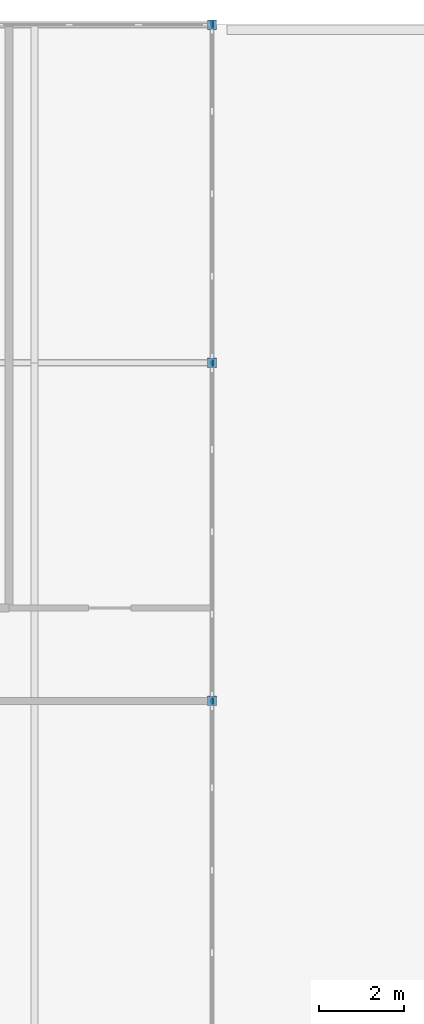
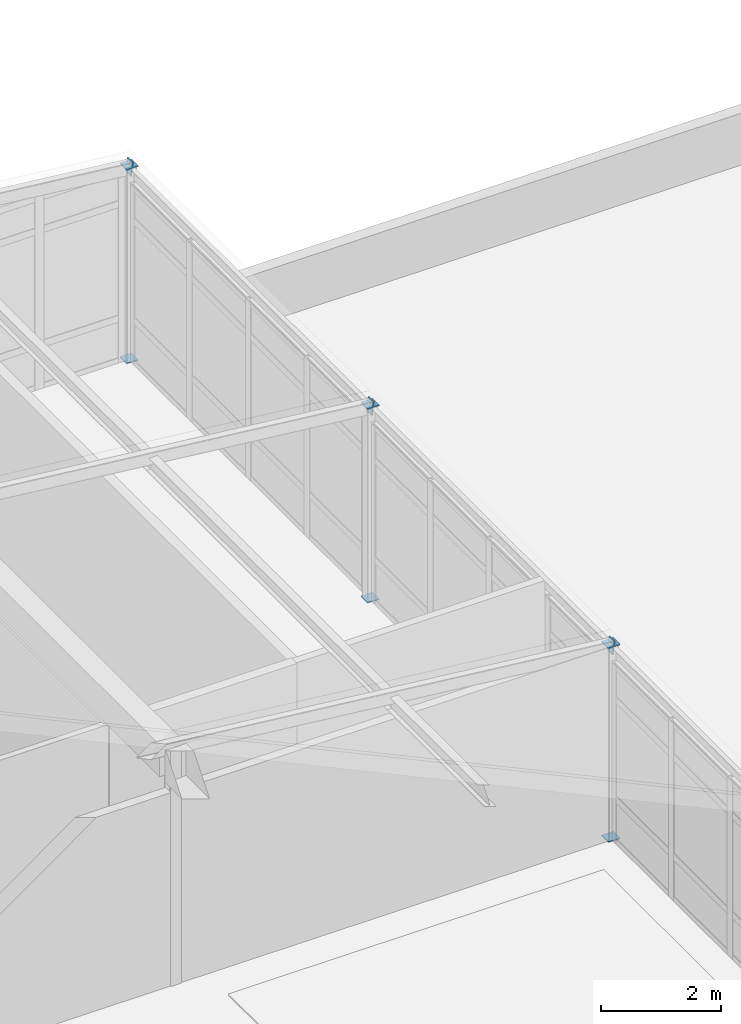
# One storey, part 24 of 25: 9 discrete accessories.
"""IFC4 building model written with IfcOpenShell, lengths in metres."""

from ifc_helpers import new_model, si_unit, direction, frame, origin, origin_2d, place, context, subcontext, project, spatial, rectangle, extrude, material, layer, layer_set, type_object, element, save


model = new_model("IFC4")

# Units and contexts
model_context = context("Model", 3, precision=1e-05, world=origin(), true_north=direction((0.0, 1.0)))
body_context = subcontext(model_context, "Body", "Model", "MODEL_VIEW")
ifc_project = project(units=[si_unit("LENGTHUNIT", "METRE"), si_unit("AREAUNIT", "SQUARE_METRE"), si_unit("VOLUMEUNIT", "CUBIC_METRE"), si_unit("PLANEANGLEUNIT", "RADIAN"), si_unit("MASSUNIT", "GRAM", prefix="KILO")], contexts=[model_context])

# Site, building, storey
site_placement = place(None, origin())
site = spatial("IfcSite", under=ifc_project, at=site_placement, CompositionType="ELEMENT")
building_placement = place(site_placement, origin())
building = spatial("IfcBuilding", under=site, at=building_placement, Name="Kranzveld Transit Interchange", CompositionType="ELEMENT")
storey_placement = place(building_placement, frame((0.0, 0.0, 21.0400390625)))
storey = spatial("IfcBuildingStorey", under=building, at=storey_placement, Name="L05", CompositionType="ELEMENT", Elevation=21.0400390625)

# Discrete accessories
ifc_material = material(Name="Steel S355JR", Category="steel")
ifc_layer = layer(ifc_material, 0.02001953125)
ifc_layer_set = layer_set([ifc_layer], Name="Steel S355JR")
discrete_accessory_type = type_object("IfcDiscreteAccessoryType", Name="Hollow Section End Cap Bracket 20 S355JR", PredefinedType="BRACKET", material=ifc_layer_set)
for number, where, z_axis, x_axis, name in (
    (1, (33.60009765625, 96.0, 0.00390625), (0.0, 0.0, -1.0), (1.0, 0.0, 0.0), "Hollow Section End Cap C-SHS200-1"),
    (2, (33.60009765625, 96.0, 3.916015625), (0.0, 0.0, 1.0), (1.0, 0.0, 0.0), "Hollow Section End Cap C-SHS200-2"),
    (3, (33.60009765625, 104.0, 0.00390625), (0.0, 0.0, -1.0), (1.0, 0.0, 0.0), "Hollow Section End Cap C-SHS200-1"),
    (4, (33.60009765625, 104.0, 3.916015625), (0.0, 0.0, 1.0), (1.0, 0.0, 0.0), "Hollow Section End Cap C-SHS200-2"),
    (5, (33.60009765625, 112.0, 0.00390625), (0.0, 0.0, -1.0), (1.0, 0.0, 0.0), "Hollow Section End Cap C-SHS200-1"),
    (6, (33.60009765625, 112.0, 3.916015625), (0.0, 0.0, 1.0), (1.0, 0.0, 0.0), "Hollow Section End Cap C-SHS200-2"),
):
    element("IfcDiscreteAccessory", number, at=place(storey_placement, frame(where, z_axis=z_axis, x_axis=x_axis)), inside=storey, type_object=discrete_accessory_type, Name=name, PredefinedType="BRACKET", context=body_context, shape_type="SweptSolid", body=[
        extrude(rectangle(XDim=0.22412109375, YDim=0.22412109375, at=origin_2d()), origin(), (0.0, 0.0, 1.0), 0.02001953125),
    ])
for number, where, z_axis, x_axis, name in (
    (7, (33.595947265625, 96.0, 3.88037109375), (0.994030677348, 0.0, -0.109100928002), (0.0, 1.0, 0.0), "Hollow Section End Cap CH-RHS250-2"),
    (8, (33.595947265625, 104.0, 3.88037109375), (0.994030677348, 0.0, -0.109100928002), (0.0, 1.0, 0.0), "Hollow Section End Cap CH-RHS250-2"),
    (9, (33.595947265625, 112.0, 3.88037109375), (0.994030677348, 0.0, -0.109100928002), (0.0, 1.0, 0.0), "Hollow Section End Cap CH-RHS250-2"),
):
    element("IfcDiscreteAccessory", number, at=place(storey_placement, frame(where, z_axis=z_axis, x_axis=x_axis)), inside=storey, type_object=discrete_accessory_type, Name=name, PredefinedType="BRACKET", context=body_context, shape_type="SweptSolid", body=[
        extrude(rectangle(XDim=0.174072265625, YDim=0.27392578125, at=origin_2d()), origin(), (0.0, 0.0, 1.0), 0.02001953125),
    ])

save(model, "model.ifc")
